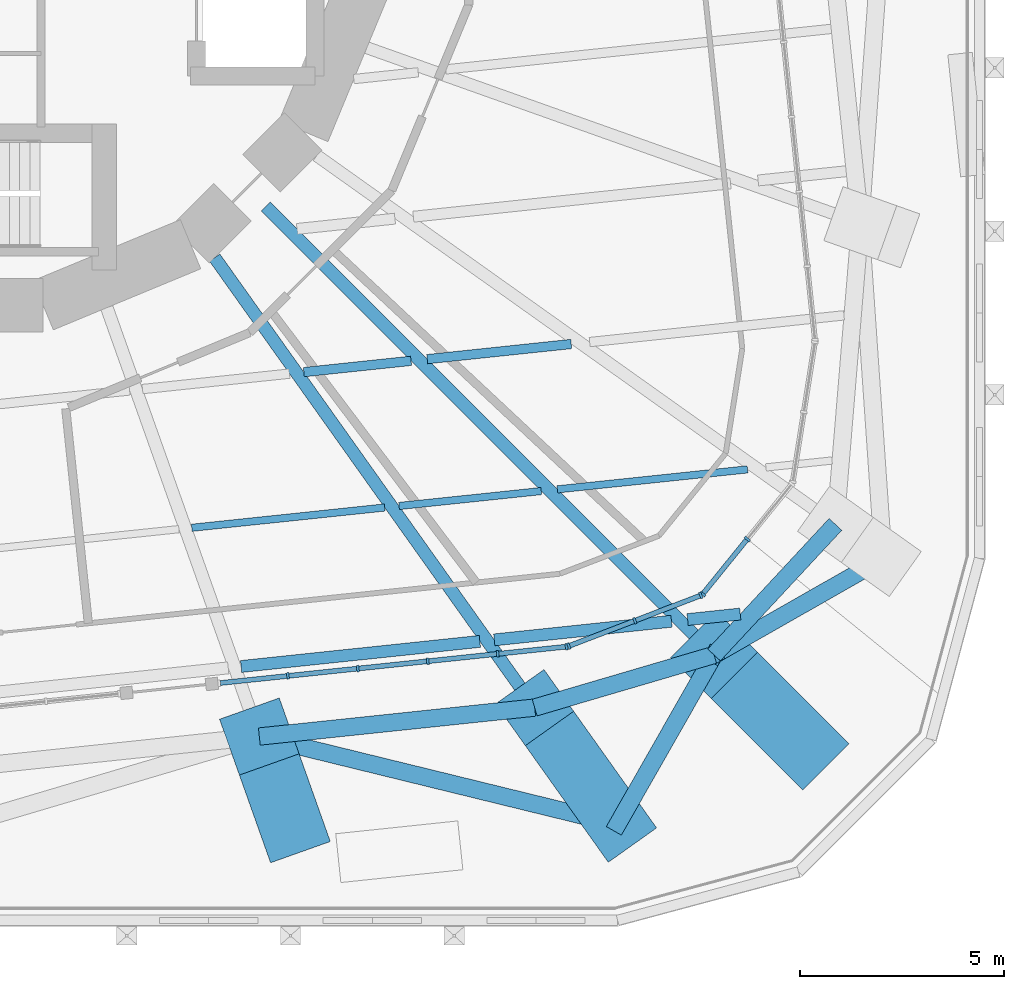
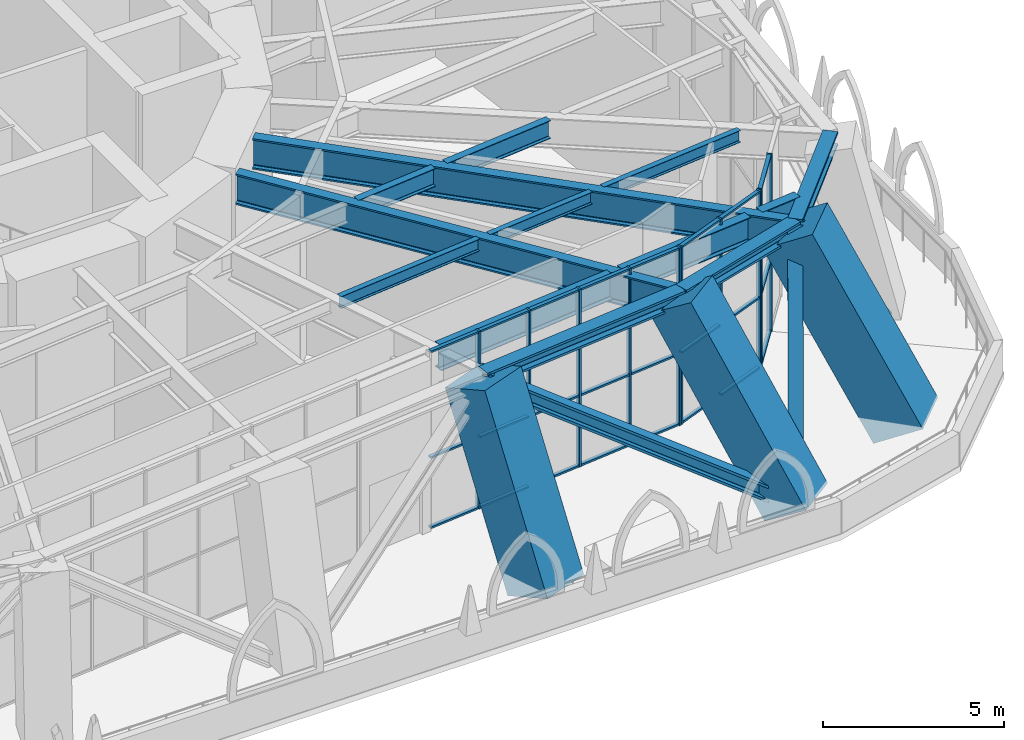
# One storey, part 5 of 20: 43 members, 10 beams, 3 elements without a shape of their own.
"""IFC4 building model written with IfcOpenShell, lengths in metres."""

import ifcopenshell
import ifcopenshell.guid

model = None  # the IFC model being written
_history = None  # IfcOwnerHistory: only IFC2X3 demands one
_inside = {}  # id of a spatial element -> (the spatial element, [elements in it])
_under = {}  # id of a project, library or spatial element -> (it, [spatial elements below it])
_declared = {}  # id of a project -> (the project, [libraries it declares])
_typed = {}  # id of a type object -> (the type object, [elements of that type])
_made_of = {}  # id of a material, layer set ... -> (it, [elements and type objects made of it])


def new_model(schema):
    """Start an empty IFC model of exactly this schema.

    Asked for "IFC4X3", IfcOpenShell would pick the latest addendum, in which some entities
    have other attributes; the version numbers below select the first issue.
    IFC2X3 requires an IfcOwnerHistory on every rooted entity: one is made here for all.
    """
    global model, _history
    if schema == "IFC4X3":
        model = ifcopenshell.file(schema_version=(4, 3, 0, 0))
    else:
        model = ifcopenshell.file(schema=schema)
    _inside.clear()
    _under.clear()
    _declared.clear()
    _typed.clear()
    _made_of.clear()
    _history = None
    if model.schema == "IFC2X3":
        org = make("IfcOrganization", Name="unknown")
        user = make(
            "IfcPersonAndOrganization",
            ThePerson=make("IfcPerson", FamilyName="unknown"),
            TheOrganization=org,
        )
        app = make(
            "IfcApplication",
            ApplicationDeveloper=org,
            Version="unknown",
            ApplicationFullName="unknown",
            ApplicationIdentifier="unknown",
        )
        _history = make(
            "IfcOwnerHistory",
            OwningUser=user,
            OwningApplication=app,
            ChangeAction="ADDED",
            CreationDate=0,
        )
    return model


def make(cls, **values):
    """One entity of the class cls with the attributes given. An attribute that is None is left unset."""
    return model.create_entity(
        cls, **{name: value for name, value in values.items() if value is not None}
    )


def rooted(cls, **values):
    """An entity with a GlobalId (a new one), such as an element, a storey or a relation."""
    return make(cls, GlobalId=ifcopenshell.guid.new(), OwnerHistory=_history, **values)


def si_unit(unit_type, name, prefix=None):
    """IfcSIUnit, for example si_unit("LENGTHUNIT", "METRE", prefix="MILLI")."""
    return make("IfcSIUnit", UnitType=unit_type, Prefix=prefix, Name=name)


def assignment(units):
    """IfcUnitAssignment: the units of a project."""
    return None if units is None else make("IfcUnitAssignment", Units=units)


def point(xyz):
    """IfcCartesianPoint."""
    return None if xyz is None else make("IfcCartesianPoint", Coordinates=xyz)


def direction(xyz):
    """IfcDirection."""
    return None if xyz is None else make("IfcDirection", DirectionRatios=xyz)


def frame(location, z_axis=None, x_axis=None):
    """IfcAxis2Placement3D, a coordinate frame: its origin and axes. An axis left out is left unset."""
    return make(
        "IfcAxis2Placement3D",
        Location=point(location),
        Axis=direction(z_axis),
        RefDirection=direction(x_axis),
    )


def frame_2d(location, x_axis=None):
    """IfcAxis2Placement2D, a coordinate frame in the plane: its origin and x axis."""
    return make(
        "IfcAxis2Placement2D", Location=point(location), RefDirection=direction(x_axis)
    )


def origin():
    """The frame at (0, 0, 0) with its axes left unset."""
    return frame((0.0, 0.0, 0.0))


def origin_2d():
    """The frame at (0, 0) in the plane with its x axis left unset."""
    return frame_2d((0.0, 0.0))


def place(relative_to, where):
    """IfcLocalPlacement: puts the frame where relative to a parent placement (None: the world)."""
    return make(
        "IfcLocalPlacement", PlacementRelTo=relative_to, RelativePlacement=where
    )


def context(
    kind, dimensions, precision=None, world=None, true_north=None, identifier=None
):
    """IfcGeometricRepresentationContext, for example the 3D "Model" context."""
    return make(
        "IfcGeometricRepresentationContext",
        ContextIdentifier=identifier,
        ContextType=kind,
        CoordinateSpaceDimension=dimensions,
        Precision=precision,
        WorldCoordinateSystem=world,
        TrueNorth=true_north,
    )


def subcontext(parent, identifier, kind, view, scale=None):
    """IfcGeometricRepresentationSubContext, for example "Body" below "Model"."""
    return make(
        "IfcGeometricRepresentationSubContext",
        ContextIdentifier=identifier,
        ContextType=kind,
        ParentContext=parent,
        TargetScale=scale,
        TargetView=view,
    )


def project(units=None, contexts=None):
    """IfcProject with its units and contexts."""
    return rooted(
        "IfcProject",
        Name="project",
        RepresentationContexts=contexts,
        UnitsInContext=assignment(units),
    )


def spatial(cls, under=None, at=None, **own):
    """A site, building, storey or space (cls), placed at a placement, below another one or the project."""
    s = rooted(cls, ObjectPlacement=at, **own)
    if under is not None:
        _under.setdefault(under.id(), (under, []))[1].append(s)
    return s


def profile(cls, at=None, kind="AREA", **sizes):
    """A parametric profile (cls). Its sizes go by their IFC names, for example OverallWidth=200.0."""
    return make(cls, ProfileType=kind, Position=at, **sizes)


def rectangle(**sizes):
    """IfcRectangleProfileDef."""
    return profile("IfcRectangleProfileDef", **sizes)


def i_section(**sizes):
    """IfcIShapeProfileDef."""
    return profile("IfcIShapeProfileDef", **sizes)


def extrude(swept, where, along, depth):
    """IfcExtrudedAreaSolid: the profile swept, set in the frame where, extruded along a direction by depth."""
    return make(
        "IfcExtrudedAreaSolid",
        SweptArea=swept,
        Position=where,
        ExtrudedDirection=direction(along),
        Depth=depth,
    )


def shape(context_of_items, identifier, shape_type, items):
    """IfcShapeRepresentation: the items that make up one representation, for example the "Body"."""
    return make(
        "IfcShapeRepresentation",
        ContextOfItems=context_of_items,
        RepresentationIdentifier=identifier,
        RepresentationType=shape_type,
        Items=items,
    )


def material(Name=None, Category=None):
    """IfcMaterial."""
    return make("IfcMaterial", Name=Name, Category=Category)


def material_profile(
    of_material, cross_section, Name=None, Category=None, Priority=None
):
    """IfcMaterialProfile: a cross section and its material."""
    return make(
        "IfcMaterialProfile",
        Name=Name,
        Material=of_material,
        Profile=cross_section,
        Priority=Priority,
        Category=Category,
    )


def profile_set(profiles, Name=None, composite=None):
    """IfcMaterialProfileSet."""
    return make(
        "IfcMaterialProfileSet",
        Name=Name,
        MaterialProfiles=profiles,
        CompositeProfile=composite,
    )


def made_of(thing, what):
    """Note that an element or type object is made of a material, layer set ...; save() writes the relation."""
    if what is not None:
        _made_of.setdefault(what.id(), (what, []))[1].append(thing)
    return thing


def type_object(cls, material=None, **own):
    """A type object (cls), such as IfcWallType, which elements share."""
    return made_of(rooted(cls, **own), material)


def element(
    cls,
    number,
    at=None,
    inside=None,
    cuts=None,
    type_object=None,
    material=None,
    context=None,
    identifier="Body",
    shape_type=None,
    held_by="IfcProductDefinitionShape",
    body=None,
    shapes=None,
    **own,
):
    """One element of the class cls, such as IfcWall. Its Tag is "e" and its number.

    at: its placement. inside: the storey or other place that contains it. cuts: it is an
    opening in that element (IfcRelVoidsElement). A single representation is given by context,
    identifier, shape_type and body (its items); several are given by shapes. held_by: the class
    of the entity that holds the representations. save() writes the other relations.
    """
    e = rooted(cls, Tag="e%d" % number, ObjectPlacement=at, **own)
    if body is not None:
        shapes = [shape(context, identifier, shape_type, body)]
    if shapes is not None:
        e.Representation = make(held_by, Representations=shapes)
    if inside is not None:
        _inside.setdefault(inside.id(), (inside, []))[1].append(e)
    if cuts is not None:
        rooted(
            "IfcRelVoidsElement", RelatingBuildingElement=cuts, RelatedOpeningElement=e
        )
    if type_object is not None:
        _typed.setdefault(type_object.id(), (type_object, []))[1].append(e)
    return made_of(e, material)


def aggregate(whole, parts):
    """IfcRelAggregates: a whole, such as a stair, and the parts it consists of."""
    return rooted("IfcRelAggregates", RelatingObject=whole, RelatedObjects=parts)


def save(model, path):
    """Write the relations noted so far, then the file.

    IfcRelAggregates (storeys below a building ...), IfcRelContainedInSpatialStructure (elements
    in a storey), IfcRelDefinesByType, IfcRelAssociatesMaterial and IfcRelDeclares: one each for
    every whole, place, type object, material and project.
    """
    for whole, parts in _under.values():
        aggregate(whole, parts)
    for where, things in _inside.values():
        rooted(
            "IfcRelContainedInSpatialStructure",
            RelatedElements=things,
            RelatingStructure=where,
        )
    for kind, things in _typed.values():
        rooted("IfcRelDefinesByType", RelatedObjects=things, RelatingType=kind)
    for what, things in _made_of.values():
        rooted("IfcRelAssociatesMaterial", RelatedObjects=things, RelatingMaterial=what)
    for by, libraries in _declared.values():
        rooted("IfcRelDeclares", RelatingContext=by, RelatedDefinitions=libraries)
    model.write(path)


model = new_model("IFC4")

# Units and contexts
model_context = context("Model", 3, precision=1e-05, world=origin(), true_north=direction((0.0, 1.0)))
body_context = subcontext(model_context, "Body", "Model", "MODEL_VIEW")
ifc_project = project(units=[si_unit("LENGTHUNIT", "METRE"), si_unit("AREAUNIT", "SQUARE_METRE"), si_unit("VOLUMEUNIT", "CUBIC_METRE"), si_unit("PLANEANGLEUNIT", "RADIAN"), si_unit("MASSUNIT", "GRAM", prefix="KILO")], contexts=[model_context])

# Site, building, storey
site_placement = place(None, origin())
site = spatial("IfcSite", under=ifc_project, at=site_placement, CompositionType="ELEMENT")
building_placement = place(site_placement, origin())
building = spatial("IfcBuilding", under=site, at=building_placement, Name="Nakasero Lantern House", CompositionType="ELEMENT")
storey_placement = place(building_placement, frame((0.0, 0.0, 54.5)))
storey = spatial("IfcBuildingStorey", under=building, at=storey_placement, Name="L13", CompositionType="ELEMENT", Elevation=54.5)

# Members
ifc_material_1 = material(Name="Steel S355", Category="steel")
ifc_material_profile_1 = material_profile(ifc_material_1, i_section(OverallWidth=0.424072265625, OverallDepth=0.474609375, WebThickness=0.047607421875, FlangeThickness=0.076904296875, FilletRadius=0.01513671875, at=origin_2d()), Name="UC 356x406x634")
ifc_profile_set_1 = profile_set([ifc_material_profile_1], Name="Steel S355")
member_type_1 = type_object("IfcMemberType", Name="Belt truss chord UC 356x406x634", PredefinedType="CHORD", material=ifc_profile_set_1)
member_1_placement = place(storey_placement, frame((7.2373046875, -20.35498046875, 5.562744140625), z_axis=(0.994522233155, 0.10452524939, 0.0), x_axis=(-0.10452524939, 0.994522233155, 0.0)))
element("IfcMember", 1, at=member_1_placement, inside=storey, type_object=member_type_1, Name="Belt truss top chord T1 B2-C22T", PredefinedType="CHORD", context=body_context, shape_type="SweptSolid", body=[
    extrude(i_section(OverallWidth=0.424072265625, OverallDepth=0.474609375, WebThickness=0.047607421875, FlangeThickness=0.076904296875, FilletRadius=0.01513671875, at=origin_2d()), origin(), (0.0, 0.0, 1.0), 6.771240234375),
])
member_2_placement = place(storey_placement, frame((13.971435546875, -19.647216796875, 5.562744140625), z_axis=(0.959526865957, 0.28161710443, 0.0), x_axis=(-0.28161710443, 0.959526865957, 0.0)))
element("IfcMember", 2, at=member_2_placement, inside=storey, type_object=member_type_1, Name="Belt truss top chord T1 B2-C23T", PredefinedType="CHORD", context=body_context, shape_type="SweptSolid", body=[
    extrude(i_section(OverallWidth=0.424072265625, OverallDepth=0.474609375, WebThickness=0.047607421875, FlangeThickness=0.076904296875, FilletRadius=0.01513671875, at=origin_2d()), origin(), (0.0, 0.0, 1.0), 4.572998046875),
])
member_3_placement = place(storey_placement, frame((18.359375, -18.359375, 5.562744140625), z_axis=(0.680906333933, 0.732370510336, 0.0), x_axis=(-0.732370510336, 0.680906333933, 0.0)))
element("IfcMember", 3, at=member_3_placement, inside=storey, type_object=member_type_1, Name="Belt truss top chord T1 B2-C24T", PredefinedType="CHORD", context=body_context, shape_type="SweptSolid", body=[
    extrude(i_section(OverallWidth=0.424072265625, OverallDepth=0.474609375, WebThickness=0.047607421875, FlangeThickness=0.076904296875, FilletRadius=0.01513671875, at=origin_2d()), origin(), (0.0, 0.0, 1.0), 4.359619140625),
])
ifc_material_2 = material(Name="Steel S355", Category="steel")
ifc_material_profile_2 = material_profile(ifc_material_2, i_section(OverallWidth=0.424072265625, OverallDepth=0.474609375, WebThickness=0.047607421875, FlangeThickness=0.076904296875, FilletRadius=0.01513671875, at=origin_2d()), Name="UC 356x406x634")
ifc_profile_set_2 = profile_set([ifc_material_profile_2], Name="Steel S355")
member_type_2 = type_object("IfcMemberType", Name="Belt truss diagonal UC 356x406x634", PredefinedType="BRACE", material=ifc_profile_set_2)
member_4_placement = place(storey_placement, frame((7.2373046875, -20.35498046875, 5.562744140625), z_axis=(0.808778641842, -0.197980863346, -0.553787582244), x_axis=(0.237769729952, 0.971321551042, 0.0)))
element("IfcMember", 4, at=member_4_placement, inside=storey, type_object=member_type_2, Name="Belt truss diagonal T1-22", PredefinedType="BRACE", context=body_context, shape_type="SweptSolid", body=[
    extrude(i_section(OverallWidth=0.424072265625, OverallDepth=0.474609375, WebThickness=0.047607421875, FlangeThickness=0.076904296875, FilletRadius=0.01513671875, at=origin_2d()), origin(), (0.0, 0.0, 1.0), 10.83447265625),
])
for number, where, z_axis, x_axis, name in (
    (5, (16.0, -22.5, -0.437255859375), (0.307918412983, 0.540386618811, 0.783050798579), (-0.86884778906, 0.495079306219, 0.0), "Belt truss diagonal T1-23"),
    (6, (18.359375, -18.359375, 5.562744140625), (0.540386618811, 0.307918412983, -0.783050798579), (-0.495079306219, 0.86884778906, 0.0), "Belt truss diagonal T1-24"),
):
    element("IfcMember", number, at=place(storey_placement, frame(where, z_axis=z_axis, x_axis=x_axis)), inside=storey, type_object=member_type_2, Name=name, PredefinedType="BRACE", context=body_context, shape_type="SweptSolid", body=[
        extrude(i_section(OverallWidth=0.424072265625, OverallDepth=0.474609375, WebThickness=0.047607421875, FlangeThickness=0.076904296875, FilletRadius=0.01513671875, at=origin_2d()), origin(), (0.0, 0.0, 1.0), 7.662353515625),
    ])

# Beams
ifc_material_3 = material(Name="Steel S355", Category="steel")
ifc_material_profile_3 = material_profile(ifc_material_3, i_section(OverallWidth=0.177978515625, OverallDepth=0.406494140625, WebThickness=0.0078125, FlangeThickness=0.0126953125, FilletRadius=0.01025390625, at=origin_2d()), Name="UB 406x178x60")
ifc_profile_set_3 = profile_set([ifc_material_profile_3], Name="Steel S355")
beam_type_1 = type_object("IfcBeamType", Name="Infill beam UB 406x178x60", PredefinedType="JOIST", material=ifc_profile_set_3)
beam_1_placement = place(storey_placement, frame((5.585693359375, -15.249755859375, 5.5966796875), z_axis=(0.994519828657, 0.104548124845, 0.0), x_axis=(-0.104548124845, 0.994519828657, 0.0)))
element("IfcBeam", 7, at=beam_1_placement, inside=storey, type_object=beam_type_1, Name="Infill beam L14 03.4", PredefinedType="JOIST", context=body_context, shape_type="SweptSolid", body=[
    extrude(i_section(OverallWidth=0.177978515625, OverallDepth=0.406494140625, WebThickness=0.0078125, FlangeThickness=0.0126953125, FilletRadius=0.01025390625, at=origin_2d()), origin(), (0.0, 0.0, 1.0), 4.74267578125),
])
beam_2_placement = place(storey_placement, frame((10.654541015625, -14.716796875, 5.5966796875), z_axis=(0.994525705273, 0.104492208085, 0.0), x_axis=(-0.104492208085, 0.994525705273, 0.0)))
element("IfcBeam", 8, at=beam_2_placement, inside=storey, type_object=beam_type_1, Name="Infill beam L14 03.5", PredefinedType="JOIST", context=body_context, shape_type="SweptSolid", body=[
    extrude(i_section(OverallWidth=0.177978515625, OverallDepth=0.406494140625, WebThickness=0.0078125, FlangeThickness=0.0126953125, FilletRadius=0.01025390625, at=origin_2d()), origin(), (0.0, 0.0, 1.0), 3.49755859375),
])
beam_3_placement = place(storey_placement, frame((14.52783203125, -14.309814453125, 5.5966796875), z_axis=(0.994519751088, 0.104548862722, 0.0), x_axis=(-0.104548862722, 0.994519751088, 0.0)))
element("IfcBeam", 9, at=beam_3_placement, inside=storey, type_object=beam_type_1, Name="Infill beam L14 03.6", PredefinedType="JOIST", context=body_context, shape_type="SweptSolid", body=[
    extrude(i_section(OverallWidth=0.177978515625, OverallDepth=0.406494140625, WebThickness=0.0078125, FlangeThickness=0.0126953125, FilletRadius=0.01025390625, at=origin_2d()), origin(), (0.0, 0.0, 1.0), 4.675048828125),
])
ifc_material_4 = material(Name="Steel S355", Category="steel")
ifc_material_profile_4 = material_profile(ifc_material_4, i_section(OverallWidth=0.22900390625, OverallDepth=0.6123046875, WebThickness=0.011962890625, FlangeThickness=0.01953125, FilletRadius=0.0126953125, at=origin_2d()), Name="UB 610x229x125")
ifc_profile_set_4 = profile_set([ifc_material_profile_4], Name="Steel S355")
beam_type_2 = type_object("IfcBeamType", Name="Infill beam UB 610x229x125", PredefinedType="JOIST", material=ifc_profile_set_4)
beam_4_placement = place(storey_placement, frame((8.326171875, -11.4423828125, 5.493896484375), z_axis=(0.994521169503, 0.104535369181, 0.0), x_axis=(-0.104535369181, 0.994521169503, 0.0)))
element("IfcBeam", 10, at=beam_4_placement, inside=storey, type_object=beam_type_2, Name="Infill beam L14 04.6", PredefinedType="JOIST", context=body_context, shape_type="SweptSolid", body=[
    extrude(i_section(OverallWidth=0.22900390625, OverallDepth=0.6123046875, WebThickness=0.011962890625, FlangeThickness=0.01953125, FilletRadius=0.0126953125, at=origin_2d()), origin(), (0.0, 0.0, 1.0), 2.63671875),
])
beam_5_placement = place(storey_placement, frame((11.34326171875, -11.125244140625, 5.493896484375), z_axis=(0.994524323021, 0.104505363118, 0.0), x_axis=(-0.104505363118, 0.994524323021, 0.0)))
element("IfcBeam", 11, at=beam_5_placement, inside=storey, type_object=beam_type_2, Name="Infill beam L14 04.7", PredefinedType="JOIST", context=body_context, shape_type="SweptSolid", body=[
    extrude(i_section(OverallWidth=0.22900390625, OverallDepth=0.6123046875, WebThickness=0.011962890625, FlangeThickness=0.01953125, FilletRadius=0.0126953125, at=origin_2d()), origin(), (0.0, 0.0, 1.0), 3.54150390625),
])
ifc_material_5 = material(Name="Steel S355", Category="steel")
ifc_material_profile_5 = material_profile(ifc_material_5, i_section(OverallWidth=0.29248046875, OverallDepth=0.8408203125, WebThickness=0.0146484375, FlangeThickness=0.02685546875, FilletRadius=0.017822265625, at=origin_2d()), Name="UB 838x292x194")
ifc_profile_set_5 = profile_set([ifc_material_profile_5], Name="Steel S355")
beam_type_3 = type_object("IfcBeamType", Name="Infill beam UB 838x292x194", PredefinedType="JOIST", material=ifc_profile_set_5)
beam_6_placement = place(storey_placement, frame((6.7919921875, -18.64208984375, 5.379638671875), z_axis=(0.994524803827, 0.104500787423, 0.0), x_axis=(-0.104500787423, 0.994524803827, 0.0)))
element("IfcBeam", 12, at=beam_6_placement, inside=storey, type_object=beam_type_3, Name="Infill beam L14 02.3", PredefinedType="JOIST", context=body_context, shape_type="SweptSolid", body=[
    extrude(i_section(OverallWidth=0.29248046875, OverallDepth=0.8408203125, WebThickness=0.0146484375, FlangeThickness=0.02685546875, FilletRadius=0.017822265625, at=origin_2d()), origin(), (0.0, 0.0, 1.0), 5.87109375),
])
beam_7_placement = place(storey_placement, frame((12.983154296875, -17.991455078125, 5.379638671875), z_axis=(0.994522015286, 0.104527322323, 0.0), x_axis=(-0.104527322323, 0.994522015286, 0.0)))
element("IfcBeam", 13, at=beam_7_placement, inside=storey, type_object=beam_type_3, Name="Infill beam L14 02.4", PredefinedType="JOIST", context=body_context, shape_type="SweptSolid", body=[
    extrude(i_section(OverallWidth=0.29248046875, OverallDepth=0.8408203125, WebThickness=0.0146484375, FlangeThickness=0.02685546875, FilletRadius=0.017822265625, at=origin_2d()), origin(), (0.0, 0.0, 1.0), 4.3583984375),
])
beam_8_placement = place(storey_placement, frame((17.71240234375, -17.494384765625, 5.379638671875), z_axis=(0.994526102826, 0.10448842423, 0.0), x_axis=(-0.10448842423, 0.994526102826, 0.0)))
element("IfcBeam", 14, at=beam_8_placement, inside=storey, type_object=beam_type_3, Name="Infill beam L14 02.5", PredefinedType="JOIST", context=body_context, shape_type="SweptSolid", body=[
    extrude(i_section(OverallWidth=0.29248046875, OverallDepth=0.8408203125, WebThickness=0.0146484375, FlangeThickness=0.02685546875, FilletRadius=0.017822265625, at=origin_2d()), origin(), (0.0, 0.0, 1.0), 1.29443359375),
])

# Curtain wall, members
ifc_material_6 = material(Name="Aluminium 6063-T6 and glass", Category="aluminium")
curtain_wall_type = type_object("IfcCurtainWallType", Name="Sky lounge glazing CW-3", PredefinedType="USERDEFINED", material=ifc_material_6)
curtain_wall_1_placement = place(storey_placement, origin())
curtain_wall_1 = element("IfcCurtainWall", 15, at=curtain_wall_1_placement, inside=storey, type_object=curtain_wall_type, Name="Curtain wall CW-3 L13", ObjectType="STICK CURTAIN WALL", PredefinedType="USERDEFINED")
ifc_material_7 = material(Name="Aluminium 6063-T6", Category="aluminium")
ifc_material_profile_6 = material_profile(ifc_material_7, rectangle(XDim=0.06005859375, YDim=0.159912109375, at=origin_2d()), Name="CW-3 mullion 60x160")
ifc_profile_set_6 = profile_set([ifc_material_profile_6], Name="Aluminium 6063-T6")
member_type_3 = type_object("IfcMemberType", Name="Mullion CW-3", PredefinedType="MULLION", material=ifc_profile_set_6)
member_5_placement = place(storey_placement, frame((7.936279296875, -18.872802734375, 0.0), z_axis=(0.0, 0.0, 1.0), x_axis=(0.994521895368, 0.104528463268, 0.0)))
member_5 = element("IfcMember", 16, at=member_5_placement, type_object=member_type_3, Name="CW-3 mullion 2", PredefinedType="MULLION", context=body_context, shape_type="SweptSolid", body=[
    extrude(rectangle(XDim=0.06005859375, YDim=0.159912109375, at=origin_2d()), origin(), (0.0, 0.0, 1.0), 6.0),
])
member_6_placement = place(storey_placement, frame((9.646728515625, -18.693115234375, 0.0), z_axis=(0.0, 0.0, 1.0), x_axis=(0.994521895368, 0.104528463268, 0.0)))
member_6 = element("IfcMember", 17, at=member_6_placement, type_object=member_type_3, Name="CW-3 mullion 3", PredefinedType="MULLION", context=body_context, shape_type="SweptSolid", body=[
    extrude(rectangle(XDim=0.06005859375, YDim=0.159912109375, at=origin_2d()), origin(), (0.0, 0.0, 1.0), 6.0),
])
member_7_placement = place(storey_placement, frame((11.357421875, -18.51318359375, 0.0), z_axis=(0.0, 0.0, 1.0), x_axis=(0.994521895368, 0.104528463268, 0.0)))
member_7 = element("IfcMember", 18, at=member_7_placement, type_object=member_type_3, Name="CW-3 mullion 4", PredefinedType="MULLION", context=body_context, shape_type="SweptSolid", body=[
    extrude(rectangle(XDim=0.06005859375, YDim=0.159912109375, at=origin_2d()), origin(), (0.0, 0.0, 1.0), 6.0),
])
member_8_placement = place(storey_placement, frame((13.06787109375, -18.33349609375, 0.0), z_axis=(0.0, 0.0, 1.0), x_axis=(0.994521895368, 0.104528463268, 0.0)))
member_8 = element("IfcMember", 19, at=member_8_placement, type_object=member_type_3, Name="CW-3 mullion 5", PredefinedType="MULLION", context=body_context, shape_type="SweptSolid", body=[
    extrude(rectangle(XDim=0.06005859375, YDim=0.159912109375, at=origin_2d()), origin(), (0.0, 0.0, 1.0), 6.0),
])
member_9_placement = place(storey_placement, frame((14.748779296875, -18.15673828125, 0.0), z_axis=(0.0, 0.0, 1.0), x_axis=(0.994521895368, 0.104528463268, 0.0)))
member_9 = element("IfcMember", 20, at=member_9_placement, type_object=member_type_3, Name="CW-3 mullion 6", PredefinedType="MULLION", context=body_context, shape_type="SweptSolid", body=[
    extrude(rectangle(XDim=0.06005859375, YDim=0.159912109375, at=origin_2d()), origin(), (0.0, 0.0, 1.0), 6.0),
])

curtain_wall_2_placement = place(storey_placement, origin())
curtain_wall_2 = element("IfcCurtainWall", 21, at=curtain_wall_2_placement, inside=storey, type_object=curtain_wall_type, Name="Curtain wall CW-3 L13", ObjectType="STICK CURTAIN WALL", PredefinedType="USERDEFINED")
member_10_placement = place(storey_placement, frame((14.806640625, -18.142822265625, 0.0), z_axis=(0.0, 0.0, 1.0), x_axis=(0.933580426497, 0.358367949545, 0.0)))
member_10 = element("IfcMember", 22, at=member_10_placement, type_object=member_type_3, Name="CW-3 mullion 1", PredefinedType="MULLION", context=body_context, shape_type="SweptSolid", body=[
    extrude(rectangle(XDim=0.06005859375, YDim=0.159912109375, at=origin_2d()), origin(), (0.0, 0.0, 1.0), 6.0),
])
member_11_placement = place(storey_placement, frame((16.42138671875, -17.52294921875, 0.0), z_axis=(0.0, 0.0, 1.0), x_axis=(0.933580426497, 0.358367949545, 0.0)))
member_11 = element("IfcMember", 23, at=member_11_placement, type_object=member_type_3, Name="CW-3 mullion 2", PredefinedType="MULLION", context=body_context, shape_type="SweptSolid", body=[
    extrude(rectangle(XDim=0.06005859375, YDim=0.159912109375, at=origin_2d()), origin(), (0.0, 0.0, 1.0), 6.0),
])
member_12_placement = place(storey_placement, frame((18.0361328125, -16.903076171875, 0.0), z_axis=(0.0, 0.0, 1.0), x_axis=(0.933580426497, 0.358367949545, 0.0)))
member_12 = element("IfcMember", 24, at=member_12_placement, type_object=member_type_3, Name="CW-3 mullion 3", PredefinedType="MULLION", context=body_context, shape_type="SweptSolid", body=[
    extrude(rectangle(XDim=0.06005859375, YDim=0.159912109375, at=origin_2d()), origin(), (0.0, 0.0, 1.0), 6.0),
])

curtain_wall_3_placement = place(storey_placement, origin())
curtain_wall_3 = element("IfcCurtainWall", 25, at=curtain_wall_3_placement, inside=storey, type_object=curtain_wall_type, Name="Curtain wall CW-3 L13", ObjectType="STICK CURTAIN WALL", PredefinedType="USERDEFINED")
member_13_placement = place(storey_placement, frame((18.0830078125, -16.869140625, 0.0), z_axis=(0.0, 0.0, 1.0), x_axis=(0.62932039105, 0.777145961457, 0.0)))
member_13 = element("IfcMember", 26, at=member_13_placement, type_object=member_type_3, Name="CW-3 mullion 1", PredefinedType="MULLION", context=body_context, shape_type="SweptSolid", body=[
    extrude(rectangle(XDim=0.06005859375, YDim=0.159912109375, at=origin_2d()), origin(), (0.0, 0.0, 1.0), 6.0),
])
member_14_placement = place(storey_placement, frame((19.171630859375, -15.52490234375, 0.0), z_axis=(0.0, 0.0, 1.0), x_axis=(0.62932039105, 0.777145961457, 0.0)))
member_14 = element("IfcMember", 27, at=member_14_placement, type_object=member_type_3, Name="CW-3 mullion 2", PredefinedType="MULLION", context=body_context, shape_type="SweptSolid", body=[
    extrude(rectangle(XDim=0.06005859375, YDim=0.159912109375, at=origin_2d()), origin(), (0.0, 0.0, 1.0), 6.0),
])

# Beams
ifc_material_8 = material(Name="Steel S355", Category="steel")
ifc_material_profile_7 = material_profile(ifc_material_8, i_section(OverallWidth=0.30859375, OverallDepth=1.036376953125, WebThickness=0.030029296875, FlangeThickness=0.05419921875, FilletRadius=0.030029296875, at=origin_2d()), Name="UB 1016x305x487")
ifc_profile_set_7 = profile_set([ifc_material_profile_7], Name="Steel S355")
beam_type_4 = type_object("IfcBeamType", Name="Primary beam UB 1016x305x487, span 12 to 15 m", PredefinedType="BEAM", material=ifc_profile_set_7)
beam_9_placement = place(storey_placement, frame((13.971435546875, -19.647216796875, 5.28173828125), z_axis=(-0.579533393168, 0.814948492976, 0.0), x_axis=(-0.814948492976, -0.579533393168, 0.0)))
element("IfcBeam", 28, at=beam_9_placement, inside=storey, type_object=beam_type_4, Name="Primary beam L14 B2-C23T", PredefinedType="BEAM", context=body_context, shape_type="SweptSolid", body=[
    extrude(i_section(OverallWidth=0.30859375, OverallDepth=1.036376953125, WebThickness=0.030029296875, FlangeThickness=0.05419921875, FilletRadius=0.030029296875, at=origin_2d()), origin(), (0.0, 0.0, 1.0), 13.502685546875),
])
ifc_material_9 = material(Name="Steel S355", Category="steel")
ifc_material_profile_8 = material_profile(ifc_material_9, i_section(OverallWidth=0.30859375, OverallDepth=1.036376953125, WebThickness=0.030029296875, FlangeThickness=0.05419921875, FilletRadius=0.030029296875, at=origin_2d()), Name="UB 1016x305x487")
ifc_profile_set_8 = profile_set([ifc_material_profile_8], Name="Steel S355")
beam_type_5 = type_object("IfcBeamType", Name="Primary beam UB 1016x305x487, span over 15 m", PredefinedType="BEAM", material=ifc_profile_set_8)
beam_10_placement = place(storey_placement, frame((18.359375, -18.359375, 5.28173828125), z_axis=(-0.707106781187, 0.707106781187, 0.0), x_axis=(-0.707106781187, -0.707106781187, 0.0)))
element("IfcBeam", 29, at=beam_10_placement, inside=storey, type_object=beam_type_5, Name="Primary beam L14 B2-C24T", PredefinedType="BEAM", context=body_context, shape_type="SweptSolid", body=[
    extrude(i_section(OverallWidth=0.30859375, OverallDepth=1.036376953125, WebThickness=0.030029296875, FlangeThickness=0.05419921875, FilletRadius=0.030029296875, at=origin_2d()), origin(), (0.0, 0.0, 1.0), 15.50634765625),
])

# Members
ifc_material_10 = material(Name="Concrete C50/60", Category="concrete")
ifc_material_profile_9 = material_profile(ifc_material_10, rectangle(XDim=1.449951171875, YDim=1.449951171875, at=origin_2d()), Name="RC 1450x1450")
ifc_profile_set_9 = profile_set([ifc_material_profile_9], Name="Concrete C50/60")
member_type_4 = type_object("IfcMemberType", Name="Raking column RC 1450x1450 C50/60", PredefinedType="STRUT", material=ifc_profile_set_9)
member_15_placement = place(storey_placement, frame((16.0, -22.5, -0.437255859375), z_axis=(-0.292028101635, 0.410680992611, 0.863748059427), x_axis=(-0.814966304231, -0.579508345901, 0.0)))
element("IfcMember", 30, at=member_15_placement, inside=storey, type_object=member_type_4, Name="Raking column B2-C23T L13", PredefinedType="STRUT", context=body_context, shape_type="SweptSolid", body=[
    extrude(rectangle(XDim=1.449951171875, YDim=1.449951171875, at=origin_2d()), origin(), (0.0, 0.0, 1.0), 6.946533203125),
])
ifc_material_11 = material(Name="Concrete C50/60", Category="concrete")
ifc_material_profile_10 = material_profile(ifc_material_11, rectangle(XDim=1.550048828125, YDim=1.550048828125, at=origin_2d()), Name="RC 1550x1550")
ifc_profile_set_10 = profile_set([ifc_material_profile_10], Name="Concrete C50/60")
member_type_5 = type_object("IfcMemberType", Name="Raking column RC 1550x1550 C50/60", PredefinedType="STRUT", material=ifc_profile_set_10)
member_16_placement = place(storey_placement, frame((8.0, -22.5, -0.437255859375), z_axis=(-0.118848327283, 0.334251409573, 0.934960464565), x_axis=(-0.942211681312, -0.335018130255, 0.0)))
element("IfcMember", 31, at=member_16_placement, inside=storey, type_object=member_type_5, Name="Raking column B2-C22T L13", PredefinedType="STRUT", context=body_context, shape_type="SweptSolid", body=[
    extrude(rectangle(XDim=1.550048828125, YDim=1.550048828125, at=origin_2d()), origin(), (0.0, 0.0, 1.0), 6.41748046875),
])
ifc_material_12 = material(Name="Concrete C50/60", Category="concrete")
ifc_material_profile_11 = material_profile(ifc_material_12, rectangle(XDim=1.60009765625, YDim=1.60009765625, at=origin_2d()), Name="RC 1600x1600")
ifc_profile_set_11 = profile_set([ifc_material_profile_11], Name="Concrete C50/60")
member_type_6 = type_object("IfcMemberType", Name="Raking column RC 1600x1600 C50/60", PredefinedType="STRUT", material=ifc_profile_set_11)
member_17_placement = place(storey_placement, frame((20.59619140625, -20.59619140625, -0.437255859375), z_axis=(-0.329776587984, 0.329776587984, 0.88458736371), x_axis=(-0.707106781187, -0.707106781187, 0.0)))
element("IfcMember", 32, at=member_17_placement, inside=storey, type_object=member_type_6, Name="Raking column B2-C24T L13", PredefinedType="STRUT", context=body_context, shape_type="SweptSolid", body=[
    extrude(rectangle(XDim=1.60009765625, YDim=1.60009765625, at=origin_2d()), origin(), (0.0, 0.0, 1.0), 6.78271484375),
])

# Member
ifc_material_13 = material(Name="Aluminium 6063-T6", Category="aluminium")
ifc_material_profile_12 = material_profile(ifc_material_13, rectangle(XDim=0.06005859375, YDim=0.1201171875, at=origin_2d()), Name="CW-3 transom 60x120")
ifc_profile_set_12 = profile_set([ifc_material_profile_12], Name="Aluminium 6063-T6")
member_type_7 = type_object("IfcMemberType", Name="Transom CW-3", PredefinedType="USERDEFINED", material=ifc_profile_set_12)
member_18_placement = place(storey_placement, frame((6.285400390625, -19.04638671875, 0.030029296875), z_axis=(0.994520215559, 0.104544444346, 0.0), x_axis=(0.0, 0.0, 1.0)))
member_18 = element("IfcMember", 33, at=member_18_placement, type_object=member_type_7, Name="CW-3 transom 1.1", ObjectType="TRANSOM", PredefinedType="USERDEFINED", context=body_context, shape_type="SweptSolid", body=[
    extrude(rectangle(XDim=0.06005859375, YDim=0.1201171875, at=origin_2d()), origin(), (0.0, 0.0, 1.0), 1.630126953125),
])

member_19_placement = place(storey_placement, frame((6.285400390625, -19.04638671875, 2.39990234375), z_axis=(0.994520215559, 0.104544444346, 0.0), x_axis=(0.0, 0.0, 1.0)))
member_19 = element("IfcMember", 34, at=member_19_placement, type_object=member_type_7, Name="CW-3 transom 1.2", ObjectType="TRANSOM", PredefinedType="USERDEFINED", context=body_context, shape_type="SweptSolid", body=[
    extrude(rectangle(XDim=0.06005859375, YDim=0.1201171875, at=origin_2d()), origin(), (0.0, 0.0, 1.0), 1.630126953125),
])

member_20_placement = place(storey_placement, frame((6.285400390625, -19.04638671875, 5.969970703125), z_axis=(0.994520215559, 0.104544444346, 0.0), x_axis=(0.0, 0.0, 1.0)))
member_20 = element("IfcMember", 35, at=member_20_placement, type_object=member_type_7, Name="CW-3 transom 1.3", ObjectType="TRANSOM", PredefinedType="USERDEFINED", context=body_context, shape_type="SweptSolid", body=[
    extrude(rectangle(XDim=0.06005859375, YDim=0.1201171875, at=origin_2d()), origin(), (0.0, 0.0, 1.0), 1.630126953125),
])

member_21_placement = place(storey_placement, frame((7.966064453125, -18.86962890625, 0.030029296875), z_axis=(0.99453281945, 0.104424475275, 0.0), x_axis=(0.0, 0.0, 1.0)))
member_21 = element("IfcMember", 36, at=member_21_placement, type_object=member_type_7, Name="CW-3 transom 2.1", ObjectType="TRANSOM", PredefinedType="USERDEFINED", context=body_context, shape_type="SweptSolid", body=[
    extrude(rectangle(XDim=0.06005859375, YDim=0.1201171875, at=origin_2d()), origin(), (0.0, 0.0, 1.0), 1.659912109375),
])

member_22_placement = place(storey_placement, frame((7.966064453125, -18.86962890625, 2.39990234375), z_axis=(0.99453281945, 0.104424475275, 0.0), x_axis=(0.0, 0.0, 1.0)))
member_22 = element("IfcMember", 37, at=member_22_placement, type_object=member_type_7, Name="CW-3 transom 2.2", ObjectType="TRANSOM", PredefinedType="USERDEFINED", context=body_context, shape_type="SweptSolid", body=[
    extrude(rectangle(XDim=0.06005859375, YDim=0.1201171875, at=origin_2d()), origin(), (0.0, 0.0, 1.0), 1.659912109375),
])

member_23_placement = place(storey_placement, frame((7.966064453125, -18.86962890625, 5.969970703125), z_axis=(0.99453281945, 0.104424475275, 0.0), x_axis=(0.0, 0.0, 1.0)))
member_23 = element("IfcMember", 38, at=member_23_placement, type_object=member_type_7, Name="CW-3 transom 2.3", ObjectType="TRANSOM", PredefinedType="USERDEFINED", context=body_context, shape_type="SweptSolid", body=[
    extrude(rectangle(XDim=0.06005859375, YDim=0.1201171875, at=origin_2d()), origin(), (0.0, 0.0, 1.0), 1.659912109375),
])

member_24_placement = place(storey_placement, frame((9.6767578125, -18.68994140625, 0.030029296875), z_axis=(0.994517534603, 0.104569944854, 0.0), x_axis=(0.0, 0.0, 1.0)))
member_24 = element("IfcMember", 39, at=member_24_placement, type_object=member_type_7, Name="CW-3 transom 3.1", ObjectType="TRANSOM", PredefinedType="USERDEFINED", context=body_context, shape_type="SweptSolid", body=[
    extrude(rectangle(XDim=0.06005859375, YDim=0.1201171875, at=origin_2d()), origin(), (0.0, 0.0, 1.0), 1.659912109375),
])

member_25_placement = place(storey_placement, frame((9.6767578125, -18.68994140625, 2.39990234375), z_axis=(0.994517534603, 0.104569944854, 0.0), x_axis=(0.0, 0.0, 1.0)))
member_25 = element("IfcMember", 40, at=member_25_placement, type_object=member_type_7, Name="CW-3 transom 3.2", ObjectType="TRANSOM", PredefinedType="USERDEFINED", context=body_context, shape_type="SweptSolid", body=[
    extrude(rectangle(XDim=0.06005859375, YDim=0.1201171875, at=origin_2d()), origin(), (0.0, 0.0, 1.0), 1.659912109375),
])

member_26_placement = place(storey_placement, frame((9.6767578125, -18.68994140625, 5.969970703125), z_axis=(0.994517534603, 0.104569944854, 0.0), x_axis=(0.0, 0.0, 1.0)))
member_26 = element("IfcMember", 41, at=member_26_placement, type_object=member_type_7, Name="CW-3 transom 3.3", ObjectType="TRANSOM", PredefinedType="USERDEFINED", context=body_context, shape_type="SweptSolid", body=[
    extrude(rectangle(XDim=0.06005859375, YDim=0.1201171875, at=origin_2d()), origin(), (0.0, 0.0, 1.0), 1.659912109375),
])

member_27_placement = place(storey_placement, frame((11.38720703125, -18.510009765625, 0.030029296875), z_axis=(0.99453281945, 0.104424475275, 0.0), x_axis=(0.0, 0.0, 1.0)))
member_27 = element("IfcMember", 42, at=member_27_placement, type_object=member_type_7, Name="CW-3 transom 4.1", ObjectType="TRANSOM", PredefinedType="USERDEFINED", context=body_context, shape_type="SweptSolid", body=[
    extrude(rectangle(XDim=0.06005859375, YDim=0.1201171875, at=origin_2d()), origin(), (0.0, 0.0, 1.0), 1.659912109375),
])

member_28_placement = place(storey_placement, frame((11.38720703125, -18.510009765625, 2.39990234375), z_axis=(0.99453281945, 0.104424475275, 0.0), x_axis=(0.0, 0.0, 1.0)))
member_28 = element("IfcMember", 43, at=member_28_placement, type_object=member_type_7, Name="CW-3 transom 4.2", ObjectType="TRANSOM", PredefinedType="USERDEFINED", context=body_context, shape_type="SweptSolid", body=[
    extrude(rectangle(XDim=0.06005859375, YDim=0.1201171875, at=origin_2d()), origin(), (0.0, 0.0, 1.0), 1.659912109375),
])

member_29_placement = place(storey_placement, frame((11.38720703125, -18.510009765625, 5.969970703125), z_axis=(0.99453281945, 0.104424475275, 0.0), x_axis=(0.0, 0.0, 1.0)))
member_29 = element("IfcMember", 44, at=member_29_placement, type_object=member_type_7, Name="CW-3 transom 4.3", ObjectType="TRANSOM", PredefinedType="USERDEFINED", context=body_context, shape_type="SweptSolid", body=[
    extrude(rectangle(XDim=0.06005859375, YDim=0.1201171875, at=origin_2d()), origin(), (0.0, 0.0, 1.0), 1.659912109375),
])

member_30_placement = place(storey_placement, frame((13.097900390625, -18.330322265625, 0.030029296875), z_axis=(0.994518578198, 0.104560019217, 0.0), x_axis=(0.0, 0.0, 1.0)))
member_30 = element("IfcMember", 45, at=member_30_placement, type_object=member_type_7, Name="CW-3 transom 5.1", ObjectType="TRANSOM", PredefinedType="USERDEFINED", context=body_context, shape_type="SweptSolid", body=[
    extrude(rectangle(XDim=0.06005859375, YDim=0.1201171875, at=origin_2d()), origin(), (0.0, 0.0, 1.0), 1.6298828125),
])

member_31_placement = place(storey_placement, frame((13.097900390625, -18.330322265625, 2.39990234375), z_axis=(0.994518578198, 0.104560019217, 0.0), x_axis=(0.0, 0.0, 1.0)))
member_31 = element("IfcMember", 46, at=member_31_placement, type_object=member_type_7, Name="CW-3 transom 5.2", ObjectType="TRANSOM", PredefinedType="USERDEFINED", context=body_context, shape_type="SweptSolid", body=[
    extrude(rectangle(XDim=0.06005859375, YDim=0.1201171875, at=origin_2d()), origin(), (0.0, 0.0, 1.0), 1.6298828125),
])

member_32_placement = place(storey_placement, frame((13.097900390625, -18.330322265625, 5.969970703125), z_axis=(0.994518578198, 0.104560019217, 0.0), x_axis=(0.0, 0.0, 1.0)))
member_32 = element("IfcMember", 47, at=member_32_placement, type_object=member_type_7, Name="CW-3 transom 5.3", ObjectType="TRANSOM", PredefinedType="USERDEFINED", context=body_context, shape_type="SweptSolid", body=[
    extrude(rectangle(XDim=0.06005859375, YDim=0.1201171875, at=origin_2d()), origin(), (0.0, 0.0, 1.0), 1.6298828125),
])

aggregate(curtain_wall_1, [member_5, member_6, member_7, member_8, member_9, member_18, member_19, member_20, member_21, member_22, member_23, member_24, member_25, member_26, member_27, member_28, member_29, member_30, member_31, member_32])

member_33_placement = place(storey_placement, frame((14.83447265625, -18.132080078125, 0.030029296875), z_axis=(0.933579050111, 0.358371535133, 0.0), x_axis=(0.0, 0.0, 1.0)))
member_33 = element("IfcMember", 48, at=member_33_placement, type_object=member_type_7, Name="CW-3 transom 1.1", ObjectType="TRANSOM", PredefinedType="USERDEFINED", context=body_context, shape_type="SweptSolid", body=[
    extrude(rectangle(XDim=0.06005859375, YDim=0.1201171875, at=origin_2d()), origin(), (0.0, 0.0, 1.0), 1.669677734375),
])

member_34_placement = place(storey_placement, frame((14.83447265625, -18.132080078125, 2.39990234375), z_axis=(0.933579050111, 0.358371535133, 0.0), x_axis=(0.0, 0.0, 1.0)))
member_34 = element("IfcMember", 49, at=member_34_placement, type_object=member_type_7, Name="CW-3 transom 1.2", ObjectType="TRANSOM", PredefinedType="USERDEFINED", context=body_context, shape_type="SweptSolid", body=[
    extrude(rectangle(XDim=0.06005859375, YDim=0.1201171875, at=origin_2d()), origin(), (0.0, 0.0, 1.0), 1.669677734375),
])

member_35_placement = place(storey_placement, frame((14.83447265625, -18.132080078125, 5.969970703125), z_axis=(0.933579050111, 0.358371535133, 0.0), x_axis=(0.0, 0.0, 1.0)))
member_35 = element("IfcMember", 50, at=member_35_placement, type_object=member_type_7, Name="CW-3 transom 1.3", ObjectType="TRANSOM", PredefinedType="USERDEFINED", context=body_context, shape_type="SweptSolid", body=[
    extrude(rectangle(XDim=0.06005859375, YDim=0.1201171875, at=origin_2d()), origin(), (0.0, 0.0, 1.0), 1.669677734375),
])

member_36_placement = place(storey_placement, frame((16.449462890625, -17.51220703125, 0.030029296875), z_axis=(0.933579050111, 0.358371535133, 0.0), x_axis=(0.0, 0.0, 1.0)))
member_36 = element("IfcMember", 51, at=member_36_placement, type_object=member_type_7, Name="CW-3 transom 2.1", ObjectType="TRANSOM", PredefinedType="USERDEFINED", context=body_context, shape_type="SweptSolid", body=[
    extrude(rectangle(XDim=0.06005859375, YDim=0.1201171875, at=origin_2d()), origin(), (0.0, 0.0, 1.0), 1.669677734375),
])

member_37_placement = place(storey_placement, frame((16.449462890625, -17.51220703125, 2.39990234375), z_axis=(0.933579050111, 0.358371535133, 0.0), x_axis=(0.0, 0.0, 1.0)))
member_37 = element("IfcMember", 52, at=member_37_placement, type_object=member_type_7, Name="CW-3 transom 2.2", ObjectType="TRANSOM", PredefinedType="USERDEFINED", context=body_context, shape_type="SweptSolid", body=[
    extrude(rectangle(XDim=0.06005859375, YDim=0.1201171875, at=origin_2d()), origin(), (0.0, 0.0, 1.0), 1.669677734375),
])

member_38_placement = place(storey_placement, frame((16.449462890625, -17.51220703125, 5.969970703125), z_axis=(0.933579050111, 0.358371535133, 0.0), x_axis=(0.0, 0.0, 1.0)))
member_38 = element("IfcMember", 53, at=member_38_placement, type_object=member_type_7, Name="CW-3 transom 2.3", ObjectType="TRANSOM", PredefinedType="USERDEFINED", context=body_context, shape_type="SweptSolid", body=[
    extrude(rectangle(XDim=0.06005859375, YDim=0.1201171875, at=origin_2d()), origin(), (0.0, 0.0, 1.0), 1.669677734375),
])

aggregate(curtain_wall_2, [member_10, member_11, member_12, member_33, member_34, member_35, member_36, member_37, member_38])

member_39_placement = place(storey_placement, frame((18.10205078125, -16.845703125, 0.030029296875), z_axis=(0.629320202384, 0.777146114236, 0.0), x_axis=(0.0, 0.0, 1.0)))
member_39 = element("IfcMember", 54, at=member_39_placement, type_object=member_type_7, Name="CW-3 transom 1.1", ObjectType="TRANSOM", PredefinedType="USERDEFINED", context=body_context, shape_type="SweptSolid", body=[
    extrude(rectangle(XDim=0.06005859375, YDim=0.1201171875, at=origin_2d()), origin(), (0.0, 0.0, 1.0), 1.669677734375),
])

member_40_placement = place(storey_placement, frame((18.10205078125, -16.845703125, 2.39990234375), z_axis=(0.629320202384, 0.777146114236, 0.0), x_axis=(0.0, 0.0, 1.0)))
member_40 = element("IfcMember", 55, at=member_40_placement, type_object=member_type_7, Name="CW-3 transom 1.2", ObjectType="TRANSOM", PredefinedType="USERDEFINED", context=body_context, shape_type="SweptSolid", body=[
    extrude(rectangle(XDim=0.06005859375, YDim=0.1201171875, at=origin_2d()), origin(), (0.0, 0.0, 1.0), 1.669677734375),
])

member_41_placement = place(storey_placement, frame((18.10205078125, -16.845703125, 5.969970703125), z_axis=(0.629320202384, 0.777146114236, 0.0), x_axis=(0.0, 0.0, 1.0)))
member_41 = element("IfcMember", 56, at=member_41_placement, type_object=member_type_7, Name="CW-3 transom 1.3", ObjectType="TRANSOM", PredefinedType="USERDEFINED", context=body_context, shape_type="SweptSolid", body=[
    extrude(rectangle(XDim=0.06005859375, YDim=0.1201171875, at=origin_2d()), origin(), (0.0, 0.0, 1.0), 1.669677734375),
])

aggregate(curtain_wall_3, [member_13, member_14, member_39, member_40, member_41])

save(model, "model.ifc")
